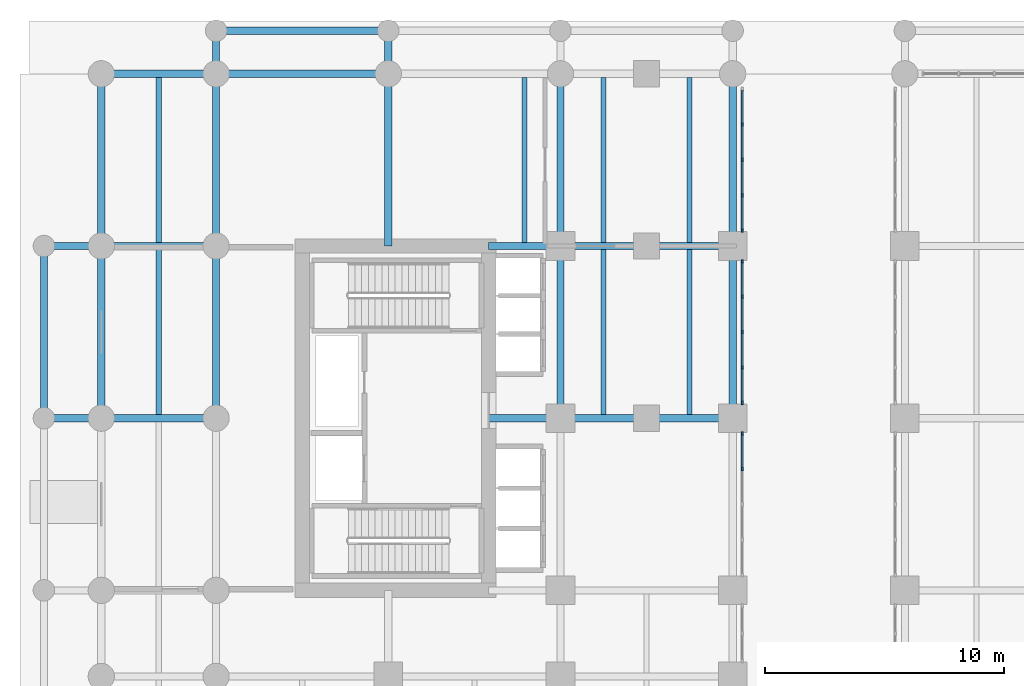
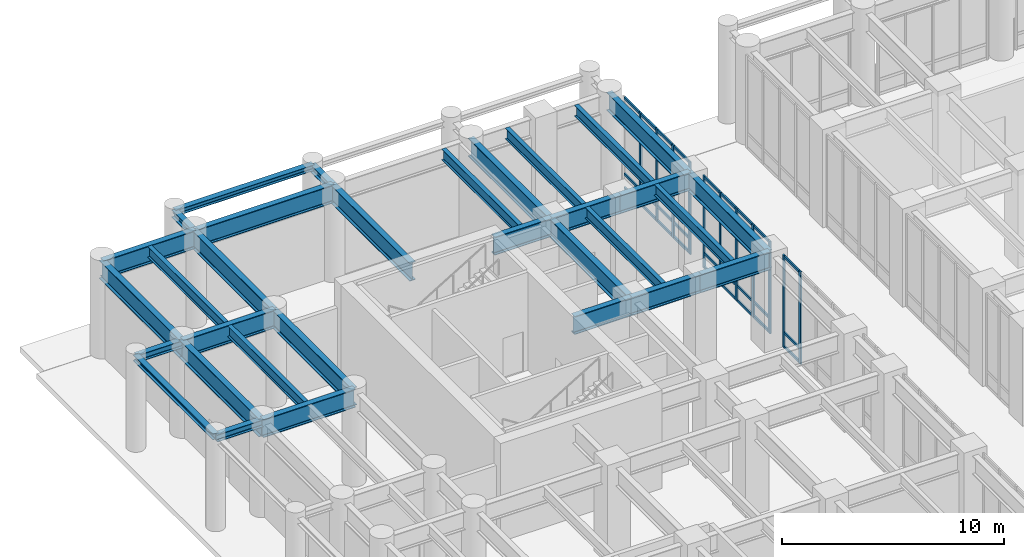
# One storey, part 6 of 23: 38 members, 32 beams, 3 elements without a shape of their own.
"""IFC4 building model written with IfcOpenShell, lengths in metres."""

from ifc_helpers import new_model, si_unit, derived_unit, direction, frame, origin, origin_2d, place, context, subcontext, project, spatial, rectangle, i_section, extrude, source, transform, mapped, material, layer, layer_set, material_profile, profile_set, type_object, type_shapes, element, aggregate, save


model = new_model("IFC4")

# Units and contexts
model_context = context("Model", 3, precision=1e-05, world=origin(), true_north=direction((0.0, 1.0)))
body_context = subcontext(model_context, "Body", "Model", "MODEL_VIEW")
ifc_project = project(units=[si_unit("LENGTHUNIT", "METRE"), si_unit("AREAUNIT", "SQUARE_METRE"), si_unit("VOLUMEUNIT", "CUBIC_METRE"), si_unit("PLANEANGLEUNIT", "RADIAN"), si_unit("MASSUNIT", "GRAM", prefix="KILO"), si_unit("THERMODYNAMICTEMPERATUREUNIT", "KELVIN"), si_unit("POWERUNIT", "WATT"), derived_unit("THERMALTRANSMITTANCEUNIT", [(si_unit("POWERUNIT", "WATT"), 1), (si_unit("AREAUNIT", "SQUARE_METRE"), -1), (si_unit("THERMODYNAMICTEMPERATUREUNIT", "KELVIN"), -1)])], contexts=[model_context])

# Site, building, storey
site_placement = place(None, origin())
site = spatial("IfcSite", under=ifc_project, at=site_placement, CompositionType="ELEMENT")
building_placement = place(site_placement, origin())
building = spatial("IfcBuilding", under=site, at=building_placement, Name="Zahravan Archway Hotel and Residences", CompositionType="ELEMENT")
storey_placement = place(building_placement, origin())
storey = spatial("IfcBuildingStorey", under=building, at=storey_placement, Name="L00", CompositionType="ELEMENT", Elevation=0.0)

# Beams
ifc_material_1 = material(Name="Structural Steel S355J2", Category="steel")
ifc_material_profile_1 = material_profile(ifc_material_1, i_section(OverallWidth=0.300048828125, OverallDepth=1.0, WebThickness=0.01904296875, FlangeThickness=0.035888671875, FilletRadius=0.030029296875, at=origin_2d()), Name="HEB 1000", Category="steel")
ifc_profile_set_1 = profile_set([ifc_material_profile_1], Name="Structural Steel S355J2")
beam_type_1 = type_object("IfcBeamType", Name="BM-PRI-HEB1000", PredefinedType="BEAM", material=ifc_profile_set_1)
shared_shape_1 = source(origin(), body_context, "Body", "SweptSolid", [
    extrude(i_section(OverallWidth=0.300048828125, OverallDepth=1.0, WebThickness=0.01904296875, FlangeThickness=0.035888671875, FilletRadius=0.030029296875, at=origin_2d()), origin(), (0.0, 0.0, 1.0), 4.800048828125),
])
type_shapes(beam_type_1, [shared_shape_1])
for number, where, z_axis, x_axis, name in (
    (1, (-4.800048828125, 32.39990234375, 4.60009765625), (1.0, 0.0, 0.0), (0.0, 1.0, 0.0), "L00 Primary Girder EW-41"),
    (2, (-4.800048828125, 39.60009765625, 4.60009765625), (1.0, 0.0, 0.0), (0.0, 1.0, 0.0), "L00 Primary Girder EW-46"),
    (3, (-4.800048828125, 46.800048828125, 4.60009765625), (1.0, 0.0, 0.0), (0.0, 1.0, 0.0), "L00 Primary Girder EW-51"),
):
    element("IfcBeam", number, at=place(storey_placement, frame(where, z_axis=z_axis, x_axis=x_axis)), inside=storey, type_object=beam_type_1, Name=name, PredefinedType="BEAM", context=body_context, shape_type="MappedRepresentation", body=[
        mapped(shared_shape_1, transform((0.0, 0.0, 0.0), scale=1.0)),
    ])
shared_shape_2 = source(origin(), body_context, "Body", "SweptSolid", [
    extrude(i_section(OverallWidth=0.300048828125, OverallDepth=1.0, WebThickness=0.01904296875, FlangeThickness=0.035888671875, FilletRadius=0.030029296875, at=origin_2d()), origin(), (0.0, 0.0, 1.0), 7.199951171875),
])
for number, where, z_axis, x_axis, name in (
    (4, (0.0, 46.800048828125, 4.60009765625), (1.0, 0.0, 0.0), (0.0, 1.0, 0.0), "L00 Primary Girder EW-52"),
    (5, (-4.800048828125, 39.60009765625, 4.60009765625), (0.0, 1.0, 0.0), (-1.0, 0.0, 0.0), "L00 Primary Girder NS-68"),
    (6, (0.0, 39.60009765625, 4.60009765625), (0.0, 1.0, 0.0), (-1.0, 0.0, 0.0), "L00 Primary Girder NS-75"),
    (7, (7.199951171875, 39.60009765625, 4.60009765625), (0.0, 1.0, 0.0), (-1.0, 0.0, 0.0), "L00 Primary Girder NS-80"),
    (8, (14.39990234375, 39.60009765625, 4.60009765625), (0.0, 1.0, 0.0), (-1.0, 0.0, 0.0), "L00 Primary Girder NS-87"),
    (9, (21.60009765625, 39.60009765625, 4.60009765625), (0.0, 1.0, 0.0), (-1.0, 0.0, 0.0), "L00 Primary Girder NS-94"),
):
    element("IfcBeam", number, at=place(storey_placement, frame(where, z_axis=z_axis, x_axis=x_axis)), inside=storey, type_object=beam_type_1, Name=name, PredefinedType="BEAM", context=body_context, shape_type="MappedRepresentation", body=[
        mapped(shared_shape_2, transform((0.0, 0.0, 0.0), scale=1.0)),
    ])
shared_shape_3 = source(origin(), body_context, "Body", "SweptSolid", [
    extrude(i_section(OverallWidth=0.300048828125, OverallDepth=1.0, WebThickness=0.01904296875, FlangeThickness=0.035888671875, FilletRadius=0.030029296875, at=origin_2d()), origin(), (0.0, 0.0, 1.0), 7.2001953125),
])
for number, where, z_axis, x_axis, name in (
    (10, (-4.800048828125, 32.39990234375, 4.60009765625), (0.0, 1.0, 0.0), (-1.0, 0.0, 0.0), "L00 Primary Girder NS-67"),
    (11, (0.0, 32.39990234375, 4.60009765625), (0.0, 1.0, 0.0), (-1.0, 0.0, 0.0), "L00 Primary Girder NS-74"),
    (12, (14.39990234375, 32.39990234375, 4.60009765625), (0.0, 1.0, 0.0), (-1.0, 0.0, 0.0), "L00 Primary Girder NS-86"),
    (13, (21.60009765625, 32.39990234375, 4.60009765625), (0.0, 1.0, 0.0), (-1.0, 0.0, 0.0), "L00 Primary Girder NS-93"),
):
    element("IfcBeam", number, at=place(storey_placement, frame(where, z_axis=z_axis, x_axis=x_axis)), inside=storey, type_object=beam_type_1, Name=name, PredefinedType="BEAM", context=body_context, shape_type="MappedRepresentation", body=[
        mapped(shared_shape_3, transform((0.0, 0.0, 0.0), scale=1.0)),
    ])
shared_shape_4 = source(origin(), body_context, "Body", "SweptSolid", [
    extrude(i_section(OverallWidth=0.300048828125, OverallDepth=1.0, WebThickness=0.01904296875, FlangeThickness=0.035888671875, FilletRadius=0.030029296875, at=origin_2d()), origin(), (0.0, 0.0, 1.0), 3.0),
])
for number, where, z_axis, x_axis, name in (
    (14, (11.39990234375, 32.39990234375, 4.60009765625), (1.0, 0.0, 0.0), (0.0, 1.0, 0.0), "L00 Primary Girder EW-42"),
    (15, (11.39990234375, 39.60009765625, 4.60009765625), (1.0, 0.0, 0.0), (0.0, 1.0, 0.0), "L00 Primary Girder EW-47"),
):
    element("IfcBeam", number, at=place(storey_placement, frame(where, z_axis=z_axis, x_axis=x_axis)), inside=storey, type_object=beam_type_1, Name=name, PredefinedType="BEAM", context=body_context, shape_type="MappedRepresentation", body=[
        mapped(shared_shape_4, transform((0.0, 0.0, 0.0), scale=1.0)),
    ])
shared_shape_5 = source(origin(), body_context, "Body", "SweptSolid", [
    extrude(i_section(OverallWidth=0.300048828125, OverallDepth=1.0, WebThickness=0.01904296875, FlangeThickness=0.035888671875, FilletRadius=0.030029296875, at=origin_2d()), origin(), (0.0, 0.0, 1.0), 3.60009765625),
])
for number, where, z_axis, x_axis, name in (
    (16, (14.39990234375, 32.39990234375, 4.60009765625), (1.0, 0.0, 0.0), (0.0, 1.0, 0.0), "L00 Primary Girder EW-43"),
    (17, (18.0, 32.39990234375, 4.60009765625), (1.0, 0.0, 0.0), (0.0, 1.0, 0.0), "L00 Primary Girder EW-44"),
    (18, (14.39990234375, 39.60009765625, 4.60009765625), (1.0, 0.0, 0.0), (0.0, 1.0, 0.0), "L00 Primary Girder EW-48"),
    (19, (18.0, 39.60009765625, 4.60009765625), (1.0, 0.0, 0.0), (0.0, 1.0, 0.0), "L00 Primary Girder EW-49"),
):
    element("IfcBeam", number, at=place(storey_placement, frame(where, z_axis=z_axis, x_axis=x_axis)), inside=storey, type_object=beam_type_1, Name=name, PredefinedType="BEAM", context=body_context, shape_type="MappedRepresentation", body=[
        mapped(shared_shape_5, transform((0.0, 0.0, 0.0), scale=1.0)),
    ])
ifc_material_2 = material(Name="Structural Steel S355JR", Category="steel")
ifc_material_profile_2 = material_profile(ifc_material_2, i_section(OverallWidth=0.219970703125, OverallDepth=0.60009765625, WebThickness=0.011962890625, FlangeThickness=0.01904296875, FilletRadius=0.02392578125, at=origin_2d()), Name="IPE 600", Category="steel")
ifc_profile_set_2 = profile_set([ifc_material_profile_2], Name="Structural Steel S355JR")
beam_type_2 = type_object("IfcBeamType", Name="BM-JST-IPE600", PredefinedType="JOIST", material=ifc_profile_set_2)
shared_shape_6 = source(origin(), body_context, "Body", "SweptSolid", [
    extrude(i_section(OverallWidth=0.219970703125, OverallDepth=0.60009765625, WebThickness=0.011962890625, FlangeThickness=0.01904296875, FilletRadius=0.02392578125, at=origin_2d()), origin(), (0.0, 0.0, 1.0), 6.904052734375),
])
type_shapes(beam_type_2, [shared_shape_6])
for number, where, z_axis, x_axis, name in (
    (20, (-2.39990234375, 39.748046875, 4.800048828125), (0.0, 1.0, 0.0), (-1.0, 0.0, 0.0), "L00 Composite Floor Joist 34"),
    (21, (12.89990234375, 39.748046875, 4.800048828125), (0.0, 1.0, 0.0), (-1.0, 0.0, 0.0), "L00 Composite Floor Joist 35"),
    (22, (16.199951171875, 39.748046875, 4.800048828125), (0.0, 1.0, 0.0), (-1.0, 0.0, 0.0), "L00 Composite Floor Joist 36"),
    (23, (19.800048828125, 39.748046875, 4.800048828125), (0.0, 1.0, 0.0), (-1.0, 0.0, 0.0), "L00 Composite Floor Joist 37"),
):
    element("IfcBeam", number, at=place(storey_placement, frame(where, z_axis=z_axis, x_axis=x_axis)), inside=storey, type_object=beam_type_2, Name=name, PredefinedType="JOIST", context=body_context, shape_type="MappedRepresentation", body=[
        mapped(shared_shape_6, transform((0.0, 0.0, 0.0), scale=1.0)),
    ])
shared_shape_7 = source(origin(), body_context, "Body", "SweptSolid", [
    extrude(i_section(OverallWidth=0.219970703125, OverallDepth=0.60009765625, WebThickness=0.011962890625, FlangeThickness=0.01904296875, FilletRadius=0.02392578125, at=origin_2d()), origin(), (0.0, 0.0, 1.0), 6.90380859375),
])
for number, where, z_axis, x_axis, name in (
    (24, (-2.39990234375, 32.548095703125, 4.800048828125), (0.0, 1.0, 0.0), (-1.0, 0.0, 0.0), "L00 Composite Floor Joist 30"),
    (25, (16.199951171875, 32.548095703125, 4.800048828125), (0.0, 1.0, 0.0), (-1.0, 0.0, 0.0), "L00 Composite Floor Joist 31"),
    (26, (19.800048828125, 32.548095703125, 4.800048828125), (0.0, 1.0, 0.0), (-1.0, 0.0, 0.0), "L00 Composite Floor Joist 32"),
):
    element("IfcBeam", number, at=place(storey_placement, frame(where, z_axis=z_axis, x_axis=x_axis)), inside=storey, type_object=beam_type_2, Name=name, PredefinedType="JOIST", context=body_context, shape_type="MappedRepresentation", body=[
        mapped(shared_shape_7, transform((0.0, 0.0, 0.0), scale=1.0)),
    ])
ifc_material_profile_3 = material_profile(ifc_material_2, i_section(OverallWidth=0.300048828125, OverallDepth=0.39990234375, WebThickness=0.013427734375, FlangeThickness=0.02392578125, FilletRadius=0.027099609375, at=origin_2d()), Name="HEB 400", Category="steel")
ifc_profile_set_3 = profile_set([ifc_material_profile_3], Name="Structural Steel S355JR")
beam_type_3 = type_object("IfcBeamType", Name="BM-PRI-HEB400", PredefinedType="BEAM", material=ifc_profile_set_3)
shared_shape_8 = source(origin(), body_context, "Body", "SweptSolid", [
    extrude(i_section(OverallWidth=0.300048828125, OverallDepth=0.39990234375, WebThickness=0.013427734375, FlangeThickness=0.02392578125, FilletRadius=0.027099609375, at=origin_2d()), origin(), (0.0, 0.0, 1.0), 2.39990234375),
])
for number, where, z_axis, x_axis, name in (
    (27, (-7.199951171875, 32.39990234375, 4.89990234375), (1.0, 0.0, 0.0), (0.0, 1.0, 0.0), "L00 West Colonnade Tie Girder 5"),
    (28, (-7.199951171875, 39.60009765625, 4.89990234375), (1.0, 0.0, 0.0), (0.0, 1.0, 0.0), "L00 West Colonnade Tie Girder 6"),
):
    element("IfcBeam", number, at=place(storey_placement, frame(where, z_axis=z_axis, x_axis=x_axis)), inside=storey, type_object=beam_type_3, Name=name, PredefinedType="BEAM", context=body_context, shape_type="MappedRepresentation", body=[
        mapped(shared_shape_8, transform((0.0, 0.0, 0.0), scale=1.0)),
    ])
ifc_material_profile_4 = material_profile(ifc_material_2, i_section(OverallWidth=0.300048828125, OverallDepth=0.320068359375, WebThickness=0.011474609375, FlangeThickness=0.0205078125, FilletRadius=0.027099609375, at=origin_2d()), Name="HEB 320", Category="steel")
ifc_profile_set_4 = profile_set([ifc_material_profile_4], Name="Structural Steel S355JR")
beam_type_4 = type_object("IfcBeamType", Name="BM-SPN-HEB320", PredefinedType="SPANDREL", material=ifc_profile_set_4)
shared_shape_9 = source(origin(), body_context, "Body", "SweptSolid", [
    extrude(i_section(OverallWidth=0.300048828125, OverallDepth=0.320068359375, WebThickness=0.011474609375, FlangeThickness=0.0205078125, FilletRadius=0.027099609375, at=origin_2d()), origin(), (0.0, 0.0, 1.0), 7.199951171875),
])
type_shapes(beam_type_4, [shared_shape_9])
beam_1_placement = place(storey_placement, frame((0.0, 48.60009765625, 4.93994140625), z_axis=(1.0, 0.0, 0.0), x_axis=(0.0, 1.0, 0.0)))
element("IfcBeam", 29, at=beam_1_placement, inside=storey, type_object=beam_type_4, Name="L00 North Colonnade Spandrel 1", PredefinedType="SPANDREL", context=body_context, shape_type="MappedRepresentation", body=[
    mapped(shared_shape_9, transform((0.0, 0.0, 0.0), scale=1.0)),
])
shared_shape_10 = source(origin(), body_context, "Body", "SweptSolid", [
    extrude(i_section(OverallWidth=0.300048828125, OverallDepth=0.320068359375, WebThickness=0.011474609375, FlangeThickness=0.0205078125, FilletRadius=0.027099609375, at=origin_2d()), origin(), (0.0, 0.0, 1.0), 7.2001953125),
])
beam_2_placement = place(storey_placement, frame((-7.199951171875, 32.39990234375, 4.93994140625), z_axis=(0.0, 1.0, 0.0), x_axis=(-1.0, 0.0, 0.0)))
element("IfcBeam", 30, at=beam_2_placement, inside=storey, type_object=beam_type_4, Name="L00 West Colonnade Spandrel 5", PredefinedType="SPANDREL", context=body_context, shape_type="MappedRepresentation", body=[
    mapped(shared_shape_10, transform((0.0, 0.0, 0.0), scale=1.0)),
])
shared_shape_11 = source(origin(), body_context, "Body", "SweptSolid", [
    extrude(i_section(OverallWidth=0.300048828125, OverallDepth=0.39990234375, WebThickness=0.013427734375, FlangeThickness=0.02392578125, FilletRadius=0.027099609375, at=origin_2d()), origin(), (0.0, 0.0, 1.0), 1.800048828125),
])
for number, where, z_axis, x_axis, name in (
    (31, (0.0, 46.800048828125, 4.89990234375), (0.0, 1.0, 0.0), (-1.0, 0.0, 0.0), "L00 North Colonnade Tie Girder 1"),
    (32, (7.199951171875, 46.800048828125, 4.89990234375), (0.0, 1.0, 0.0), (-1.0, 0.0, 0.0), "L00 North Colonnade Tie Girder 2"),
):
    element("IfcBeam", number, at=place(storey_placement, frame(where, z_axis=z_axis, x_axis=x_axis)), inside=storey, type_object=beam_type_3, Name=name, PredefinedType="BEAM", context=body_context, shape_type="MappedRepresentation", body=[
        mapped(shared_shape_11, transform((0.0, 0.0, 0.0), scale=1.0)),
    ])

# Curtain wall, members
ifc_material_3 = material(Name="Bronze-Anodized Unitised Aluminium & Low-E Glass", Category="aluminium")
ifc_layer = layer(ifc_material_3, 0.179931640625, Name="Bronze-Anodized Unitised Aluminium & Low-E Glass", Category="aluminium")
ifc_layer_set = layer_set([ifc_layer], Name="Bronze-Anodized Unitised Aluminium & Low-E Glass")
curtain_wall_type = type_object("IfcCurtainWallType", Name="CW-POD-ARCH", PredefinedType="NOTDEFINED", material=ifc_layer_set)
curtain_wall_1_placement = place(storey_placement, origin())
curtain_wall_1 = element("IfcCurtainWall", 33, at=curtain_wall_1_placement, inside=storey, type_object=curtain_wall_type, Name="L00 Curtain Wall CW-PORTW-L00-5", PredefinedType="NOTDEFINED")
ifc_material_4 = material(Name="Bronze-Anodized Extruded Aluminium", Category="aluminium")
ifc_material_profile_5 = material_profile(ifc_material_4, rectangle(XDim=0.080078125, YDim=0.159912109375, at=origin_2d()), Name="MUL 80x160", Category="aluminium")
ifc_profile_set_5 = profile_set([ifc_material_profile_5], Name="Bronze-Anodized Extruded Aluminium")
member_type_1 = type_object("IfcMemberType", Name="CWM-MUL-160", PredefinedType="MULLION", material=ifc_profile_set_5)
shared_shape_12 = source(origin(), body_context, "Body", "SweptSolid", [
    extrude(rectangle(XDim=0.080078125, YDim=0.159912109375, at=origin_2d()), origin(), (0.0, 0.0, 1.0), 5.10009765625),
])
member_1_placement = place(storey_placement, frame((22.0, 30.27734375, 0.0), z_axis=(0.0, 0.0, 1.0), x_axis=(1.0, 0.0, 0.0)))
member_1 = element("IfcMember", 34, at=member_1_placement, type_object=member_type_1, Name="CW-PORTW-L00-5 Mullion 3", PredefinedType="MULLION", context=body_context, shape_type="MappedRepresentation", body=[
    mapped(shared_shape_12, transform((0.0, 0.0, 0.0), scale=1.0)),
])
member_2_placement = place(storey_placement, frame((22.0, 31.7548828125, 0.0), z_axis=(0.0, 0.0, 1.0), x_axis=(1.0, 0.0, 0.0)))
member_2 = element("IfcMember", 35, at=member_2_placement, type_object=member_type_1, Name="CW-PORTW-L00-5 Mullion 4", PredefinedType="MULLION", context=body_context, shape_type="MappedRepresentation", body=[
    mapped(shared_shape_12, transform((0.0, 0.0, 0.0), scale=1.0)),
])

curtain_wall_2_placement = place(storey_placement, origin())
curtain_wall_2 = element("IfcCurtainWall", 36, at=curtain_wall_2_placement, inside=storey, type_object=curtain_wall_type, Name="L00 Curtain Wall CW-PORTW-L00-6", PredefinedType="NOTDEFINED")
member_3_placement = place(storey_placement, frame((22.0, 33.045166015625, 0.0), z_axis=(0.0, 0.0, 1.0), x_axis=(1.0, 0.0, 0.0)))
member_3 = element("IfcMember", 37, at=member_3_placement, type_object=member_type_1, Name="CW-PORTW-L00-6 Mullion 0", PredefinedType="MULLION", context=body_context, shape_type="MappedRepresentation", body=[
    mapped(shared_shape_12, transform((0.0, 0.0, 0.0), scale=1.0)),
])
member_4_placement = place(storey_placement, frame((22.0, 34.522705078125, 0.0), z_axis=(0.0, 0.0, 1.0), x_axis=(1.0, 0.0, 0.0)))
member_4 = element("IfcMember", 38, at=member_4_placement, type_object=member_type_1, Name="CW-PORTW-L00-6 Mullion 1", PredefinedType="MULLION", context=body_context, shape_type="MappedRepresentation", body=[
    mapped(shared_shape_12, transform((0.0, 0.0, 0.0), scale=1.0)),
])
member_5_placement = place(storey_placement, frame((22.0, 36.0, 0.0), z_axis=(0.0, 0.0, 1.0), x_axis=(1.0, 0.0, 0.0)))
member_5 = element("IfcMember", 39, at=member_5_placement, type_object=member_type_1, Name="CW-PORTW-L00-6 Mullion 2", PredefinedType="MULLION", context=body_context, shape_type="MappedRepresentation", body=[
    mapped(shared_shape_12, transform((0.0, 0.0, 0.0), scale=1.0)),
])
member_6_placement = place(storey_placement, frame((22.0, 37.477294921875, 0.0), z_axis=(0.0, 0.0, 1.0), x_axis=(1.0, 0.0, 0.0)))
member_6 = element("IfcMember", 40, at=member_6_placement, type_object=member_type_1, Name="CW-PORTW-L00-6 Mullion 3", PredefinedType="MULLION", context=body_context, shape_type="MappedRepresentation", body=[
    mapped(shared_shape_12, transform((0.0, 0.0, 0.0), scale=1.0)),
])
member_7_placement = place(storey_placement, frame((22.0, 38.954833984375, 0.0), z_axis=(0.0, 0.0, 1.0), x_axis=(1.0, 0.0, 0.0)))
member_7 = element("IfcMember", 41, at=member_7_placement, type_object=member_type_1, Name="CW-PORTW-L00-6 Mullion 4", PredefinedType="MULLION", context=body_context, shape_type="MappedRepresentation", body=[
    mapped(shared_shape_12, transform((0.0, 0.0, 0.0), scale=1.0)),
])

curtain_wall_3_placement = place(storey_placement, origin())
curtain_wall_3 = element("IfcCurtainWall", 42, at=curtain_wall_3_placement, inside=storey, type_object=curtain_wall_type, Name="L00 Curtain Wall CW-PORTW-L00-7", PredefinedType="NOTDEFINED")
member_8_placement = place(storey_placement, frame((22.0, 40.2451171875, 0.0), z_axis=(0.0, 0.0, 1.0), x_axis=(1.0, 0.0, 0.0)))
member_8 = element("IfcMember", 43, at=member_8_placement, type_object=member_type_1, Name="CW-PORTW-L00-7 Mullion 0", PredefinedType="MULLION", context=body_context, shape_type="MappedRepresentation", body=[
    mapped(shared_shape_12, transform((0.0, 0.0, 0.0), scale=1.0)),
])
member_9_placement = place(storey_placement, frame((22.0, 41.72265625, 0.0), z_axis=(0.0, 0.0, 1.0), x_axis=(1.0, 0.0, 0.0)))
member_9 = element("IfcMember", 44, at=member_9_placement, type_object=member_type_1, Name="CW-PORTW-L00-7 Mullion 1", PredefinedType="MULLION", context=body_context, shape_type="MappedRepresentation", body=[
    mapped(shared_shape_12, transform((0.0, 0.0, 0.0), scale=1.0)),
])
member_10_placement = place(storey_placement, frame((22.0, 43.199951171875, 0.0), z_axis=(0.0, 0.0, 1.0), x_axis=(1.0, 0.0, 0.0)))
member_10 = element("IfcMember", 45, at=member_10_placement, type_object=member_type_1, Name="CW-PORTW-L00-7 Mullion 2", PredefinedType="MULLION", context=body_context, shape_type="MappedRepresentation", body=[
    mapped(shared_shape_12, transform((0.0, 0.0, 0.0), scale=1.0)),
])
member_11_placement = place(storey_placement, frame((22.0, 44.677490234375, 0.0), z_axis=(0.0, 0.0, 1.0), x_axis=(1.0, 0.0, 0.0)))
member_11 = element("IfcMember", 46, at=member_11_placement, type_object=member_type_1, Name="CW-PORTW-L00-7 Mullion 3", PredefinedType="MULLION", context=body_context, shape_type="MappedRepresentation", body=[
    mapped(shared_shape_12, transform((0.0, 0.0, 0.0), scale=1.0)),
])
ifc_material_profile_6 = material_profile(ifc_material_4, rectangle(XDim=0.080078125, YDim=0.139892578125, at=origin_2d()), Name="TRN 80x140", Category="aluminium")
ifc_profile_set_6 = profile_set([ifc_material_profile_6], Name="Bronze-Anodized Extruded Aluminium")
member_type_2 = type_object("IfcMemberType", Name="CWM-TRN-140", PredefinedType="USERDEFINED", material=ifc_profile_set_6)
shared_shape_13 = source(origin(), body_context, "Body", "SweptSolid", [
    extrude(rectangle(XDim=0.080078125, YDim=0.139892578125, at=origin_2d()), origin(), (0.0, 0.0, 1.0), 1.397216796875),
])
member_12_placement = place(storey_placement, frame((22.0, 41.7626953125, 0.070068359375), z_axis=(0.0, 1.0, 0.0), x_axis=(-1.0, 0.0, 0.0)))
member_12 = element("IfcMember", 47, at=member_12_placement, type_object=member_type_2, Name="CW-PORTW-L00-7 Transom 1-1", ObjectType="TRANSOM", PredefinedType="USERDEFINED", context=body_context, shape_type="MappedRepresentation", body=[
    mapped(shared_shape_13, transform((0.0, 0.0, 0.0), scale=1.0)),
])
member_13_placement = place(storey_placement, frame((22.0, 41.7626953125, 0.85009765625), z_axis=(0.0, 1.0, 0.0), x_axis=(-1.0, 0.0, 0.0)))
member_13 = element("IfcMember", 48, at=member_13_placement, type_object=member_type_2, Name="CW-PORTW-L00-7 Transom 1-2", ObjectType="TRANSOM", PredefinedType="USERDEFINED", context=body_context, shape_type="MappedRepresentation", body=[
    mapped(shared_shape_13, transform((0.0, 0.0, 0.0), scale=1.0)),
])
member_14_placement = place(storey_placement, frame((22.0, 41.7626953125, 5.030029296875), z_axis=(0.0, 1.0, 0.0), x_axis=(-1.0, 0.0, 0.0)))
member_14 = element("IfcMember", 49, at=member_14_placement, type_object=member_type_2, Name="CW-PORTW-L00-7 Transom 1-3", ObjectType="TRANSOM", PredefinedType="USERDEFINED", context=body_context, shape_type="MappedRepresentation", body=[
    mapped(shared_shape_13, transform((0.0, 0.0, 0.0), scale=1.0)),
])

# Member
shared_shape_14 = source(origin(), body_context, "Body", "SweptSolid", [
    extrude(rectangle(XDim=0.080078125, YDim=0.139892578125, at=origin_2d()), origin(), (0.0, 0.0, 1.0), 1.3974609375),
])
member_15_placement = place(storey_placement, frame((22.0, 30.3173828125, 0.070068359375), z_axis=(0.0, 1.0, 0.0), x_axis=(-1.0, 0.0, 0.0)))
member_15 = element("IfcMember", 50, at=member_15_placement, type_object=member_type_2, Name="CW-PORTW-L00-5 Transom 3-1", ObjectType="TRANSOM", PredefinedType="USERDEFINED", context=body_context, shape_type="MappedRepresentation", body=[
    mapped(shared_shape_14, transform((0.0, 0.0, 0.0), scale=1.0)),
])

member_16_placement = place(storey_placement, frame((22.0, 30.3173828125, 0.85009765625), z_axis=(0.0, 1.0, 0.0), x_axis=(-1.0, 0.0, 0.0)))
member_16 = element("IfcMember", 51, at=member_16_placement, type_object=member_type_2, Name="CW-PORTW-L00-5 Transom 3-2", ObjectType="TRANSOM", PredefinedType="USERDEFINED", context=body_context, shape_type="MappedRepresentation", body=[
    mapped(shared_shape_14, transform((0.0, 0.0, 0.0), scale=1.0)),
])

member_17_placement = place(storey_placement, frame((22.0, 30.3173828125, 5.030029296875), z_axis=(0.0, 1.0, 0.0), x_axis=(-1.0, 0.0, 0.0)))
member_17 = element("IfcMember", 52, at=member_17_placement, type_object=member_type_2, Name="CW-PORTW-L00-5 Transom 3-3", ObjectType="TRANSOM", PredefinedType="USERDEFINED", context=body_context, shape_type="MappedRepresentation", body=[
    mapped(shared_shape_14, transform((0.0, 0.0, 0.0), scale=1.0)),
])

aggregate(curtain_wall_1, [member_1, member_2, member_15, member_16, member_17])

member_18_placement = place(storey_placement, frame((22.0, 33.085205078125, 0.070068359375), z_axis=(0.0, 1.0, 0.0), x_axis=(-1.0, 0.0, 0.0)))
member_18 = element("IfcMember", 53, at=member_18_placement, type_object=member_type_2, Name="CW-PORTW-L00-6 Transom 0-1", ObjectType="TRANSOM", PredefinedType="USERDEFINED", context=body_context, shape_type="MappedRepresentation", body=[
    mapped(shared_shape_14, transform((0.0, 0.0, 0.0), scale=1.0)),
])

member_19_placement = place(storey_placement, frame((22.0, 33.085205078125, 0.85009765625), z_axis=(0.0, 1.0, 0.0), x_axis=(-1.0, 0.0, 0.0)))
member_19 = element("IfcMember", 54, at=member_19_placement, type_object=member_type_2, Name="CW-PORTW-L00-6 Transom 0-2", ObjectType="TRANSOM", PredefinedType="USERDEFINED", context=body_context, shape_type="MappedRepresentation", body=[
    mapped(shared_shape_14, transform((0.0, 0.0, 0.0), scale=1.0)),
])

member_20_placement = place(storey_placement, frame((22.0, 33.085205078125, 5.030029296875), z_axis=(0.0, 1.0, 0.0), x_axis=(-1.0, 0.0, 0.0)))
member_20 = element("IfcMember", 55, at=member_20_placement, type_object=member_type_2, Name="CW-PORTW-L00-6 Transom 0-3", ObjectType="TRANSOM", PredefinedType="USERDEFINED", context=body_context, shape_type="MappedRepresentation", body=[
    mapped(shared_shape_14, transform((0.0, 0.0, 0.0), scale=1.0)),
])

member_21_placement = place(storey_placement, frame((22.0, 34.5625, 0.070068359375), z_axis=(0.0, 1.0, 0.0), x_axis=(-1.0, 0.0, 0.0)))
member_21 = element("IfcMember", 56, at=member_21_placement, type_object=member_type_2, Name="CW-PORTW-L00-6 Transom 1-1", ObjectType="TRANSOM", PredefinedType="USERDEFINED", context=body_context, shape_type="MappedRepresentation", body=[
    mapped(shared_shape_14, transform((0.0, 0.0, 0.0), scale=1.0)),
])

member_22_placement = place(storey_placement, frame((22.0, 34.5625, 0.85009765625), z_axis=(0.0, 1.0, 0.0), x_axis=(-1.0, 0.0, 0.0)))
member_22 = element("IfcMember", 57, at=member_22_placement, type_object=member_type_2, Name="CW-PORTW-L00-6 Transom 1-2", ObjectType="TRANSOM", PredefinedType="USERDEFINED", context=body_context, shape_type="MappedRepresentation", body=[
    mapped(shared_shape_14, transform((0.0, 0.0, 0.0), scale=1.0)),
])

member_23_placement = place(storey_placement, frame((22.0, 34.5625, 5.030029296875), z_axis=(0.0, 1.0, 0.0), x_axis=(-1.0, 0.0, 0.0)))
member_23 = element("IfcMember", 58, at=member_23_placement, type_object=member_type_2, Name="CW-PORTW-L00-6 Transom 1-3", ObjectType="TRANSOM", PredefinedType="USERDEFINED", context=body_context, shape_type="MappedRepresentation", body=[
    mapped(shared_shape_14, transform((0.0, 0.0, 0.0), scale=1.0)),
])

member_24_placement = place(storey_placement, frame((22.0, 36.0400390625, 0.070068359375), z_axis=(0.0, 1.0, 0.0), x_axis=(-1.0, 0.0, 0.0)))
member_24 = element("IfcMember", 59, at=member_24_placement, type_object=member_type_2, Name="CW-PORTW-L00-6 Transom 2-1", ObjectType="TRANSOM", PredefinedType="USERDEFINED", context=body_context, shape_type="MappedRepresentation", body=[
    mapped(shared_shape_14, transform((0.0, 0.0, 0.0), scale=1.0)),
])

member_25_placement = place(storey_placement, frame((22.0, 36.0400390625, 0.85009765625), z_axis=(0.0, 1.0, 0.0), x_axis=(-1.0, 0.0, 0.0)))
member_25 = element("IfcMember", 60, at=member_25_placement, type_object=member_type_2, Name="CW-PORTW-L00-6 Transom 2-2", ObjectType="TRANSOM", PredefinedType="USERDEFINED", context=body_context, shape_type="MappedRepresentation", body=[
    mapped(shared_shape_14, transform((0.0, 0.0, 0.0), scale=1.0)),
])

member_26_placement = place(storey_placement, frame((22.0, 36.0400390625, 5.030029296875), z_axis=(0.0, 1.0, 0.0), x_axis=(-1.0, 0.0, 0.0)))
member_26 = element("IfcMember", 61, at=member_26_placement, type_object=member_type_2, Name="CW-PORTW-L00-6 Transom 2-3", ObjectType="TRANSOM", PredefinedType="USERDEFINED", context=body_context, shape_type="MappedRepresentation", body=[
    mapped(shared_shape_14, transform((0.0, 0.0, 0.0), scale=1.0)),
])

member_27_placement = place(storey_placement, frame((22.0, 37.517333984375, 0.070068359375), z_axis=(0.0, 1.0, 0.0), x_axis=(-1.0, 0.0, 0.0)))
member_27 = element("IfcMember", 62, at=member_27_placement, type_object=member_type_2, Name="CW-PORTW-L00-6 Transom 3-1", ObjectType="TRANSOM", PredefinedType="USERDEFINED", context=body_context, shape_type="MappedRepresentation", body=[
    mapped(shared_shape_14, transform((0.0, 0.0, 0.0), scale=1.0)),
])

member_28_placement = place(storey_placement, frame((22.0, 37.517333984375, 0.85009765625), z_axis=(0.0, 1.0, 0.0), x_axis=(-1.0, 0.0, 0.0)))
member_28 = element("IfcMember", 63, at=member_28_placement, type_object=member_type_2, Name="CW-PORTW-L00-6 Transom 3-2", ObjectType="TRANSOM", PredefinedType="USERDEFINED", context=body_context, shape_type="MappedRepresentation", body=[
    mapped(shared_shape_14, transform((0.0, 0.0, 0.0), scale=1.0)),
])

member_29_placement = place(storey_placement, frame((22.0, 37.517333984375, 5.030029296875), z_axis=(0.0, 1.0, 0.0), x_axis=(-1.0, 0.0, 0.0)))
member_29 = element("IfcMember", 64, at=member_29_placement, type_object=member_type_2, Name="CW-PORTW-L00-6 Transom 3-3", ObjectType="TRANSOM", PredefinedType="USERDEFINED", context=body_context, shape_type="MappedRepresentation", body=[
    mapped(shared_shape_14, transform((0.0, 0.0, 0.0), scale=1.0)),
])

aggregate(curtain_wall_2, [member_3, member_4, member_5, member_6, member_7, member_18, member_19, member_20, member_21, member_22, member_23, member_24, member_25, member_26, member_27, member_28, member_29])

member_30_placement = place(storey_placement, frame((22.0, 40.28515625, 0.070068359375), z_axis=(0.0, 1.0, 0.0), x_axis=(-1.0, 0.0, 0.0)))
member_30 = element("IfcMember", 65, at=member_30_placement, type_object=member_type_2, Name="CW-PORTW-L00-7 Transom 0-1", ObjectType="TRANSOM", PredefinedType="USERDEFINED", context=body_context, shape_type="MappedRepresentation", body=[
    mapped(shared_shape_14, transform((0.0, 0.0, 0.0), scale=1.0)),
])

member_31_placement = place(storey_placement, frame((22.0, 40.28515625, 0.85009765625), z_axis=(0.0, 1.0, 0.0), x_axis=(-1.0, 0.0, 0.0)))
member_31 = element("IfcMember", 66, at=member_31_placement, type_object=member_type_2, Name="CW-PORTW-L00-7 Transom 0-2", ObjectType="TRANSOM", PredefinedType="USERDEFINED", context=body_context, shape_type="MappedRepresentation", body=[
    mapped(shared_shape_14, transform((0.0, 0.0, 0.0), scale=1.0)),
])

member_32_placement = place(storey_placement, frame((22.0, 40.28515625, 5.030029296875), z_axis=(0.0, 1.0, 0.0), x_axis=(-1.0, 0.0, 0.0)))
member_32 = element("IfcMember", 67, at=member_32_placement, type_object=member_type_2, Name="CW-PORTW-L00-7 Transom 0-3", ObjectType="TRANSOM", PredefinedType="USERDEFINED", context=body_context, shape_type="MappedRepresentation", body=[
    mapped(shared_shape_14, transform((0.0, 0.0, 0.0), scale=1.0)),
])

member_33_placement = place(storey_placement, frame((22.0, 43.239990234375, 0.070068359375), z_axis=(0.0, 1.0, 0.0), x_axis=(-1.0, 0.0, 0.0)))
member_33 = element("IfcMember", 68, at=member_33_placement, type_object=member_type_2, Name="CW-PORTW-L00-7 Transom 2-1", ObjectType="TRANSOM", PredefinedType="USERDEFINED", context=body_context, shape_type="MappedRepresentation", body=[
    mapped(shared_shape_14, transform((0.0, 0.0, 0.0), scale=1.0)),
])

member_34_placement = place(storey_placement, frame((22.0, 43.239990234375, 0.85009765625), z_axis=(0.0, 1.0, 0.0), x_axis=(-1.0, 0.0, 0.0)))
member_34 = element("IfcMember", 69, at=member_34_placement, type_object=member_type_2, Name="CW-PORTW-L00-7 Transom 2-2", ObjectType="TRANSOM", PredefinedType="USERDEFINED", context=body_context, shape_type="MappedRepresentation", body=[
    mapped(shared_shape_14, transform((0.0, 0.0, 0.0), scale=1.0)),
])

member_35_placement = place(storey_placement, frame((22.0, 43.239990234375, 5.030029296875), z_axis=(0.0, 1.0, 0.0), x_axis=(-1.0, 0.0, 0.0)))
member_35 = element("IfcMember", 70, at=member_35_placement, type_object=member_type_2, Name="CW-PORTW-L00-7 Transom 2-3", ObjectType="TRANSOM", PredefinedType="USERDEFINED", context=body_context, shape_type="MappedRepresentation", body=[
    mapped(shared_shape_14, transform((0.0, 0.0, 0.0), scale=1.0)),
])

member_36_placement = place(storey_placement, frame((22.0, 44.71728515625, 0.070068359375), z_axis=(0.0, 1.0, 0.0), x_axis=(-1.0, 0.0, 0.0)))
member_36 = element("IfcMember", 71, at=member_36_placement, type_object=member_type_2, Name="CW-PORTW-L00-7 Transom 3-1", ObjectType="TRANSOM", PredefinedType="USERDEFINED", context=body_context, shape_type="MappedRepresentation", body=[
    mapped(shared_shape_14, transform((0.0, 0.0, 0.0), scale=1.0)),
])

member_37_placement = place(storey_placement, frame((22.0, 44.71728515625, 0.85009765625), z_axis=(0.0, 1.0, 0.0), x_axis=(-1.0, 0.0, 0.0)))
member_37 = element("IfcMember", 72, at=member_37_placement, type_object=member_type_2, Name="CW-PORTW-L00-7 Transom 3-2", ObjectType="TRANSOM", PredefinedType="USERDEFINED", context=body_context, shape_type="MappedRepresentation", body=[
    mapped(shared_shape_14, transform((0.0, 0.0, 0.0), scale=1.0)),
])

member_38_placement = place(storey_placement, frame((22.0, 44.71728515625, 5.030029296875), z_axis=(0.0, 1.0, 0.0), x_axis=(-1.0, 0.0, 0.0)))
member_38 = element("IfcMember", 73, at=member_38_placement, type_object=member_type_2, Name="CW-PORTW-L00-7 Transom 3-3", ObjectType="TRANSOM", PredefinedType="USERDEFINED", context=body_context, shape_type="MappedRepresentation", body=[
    mapped(shared_shape_14, transform((0.0, 0.0, 0.0), scale=1.0)),
])

aggregate(curtain_wall_3, [member_8, member_9, member_10, member_11, member_30, member_31, member_32, member_12, member_13, member_14, member_33, member_34, member_35, member_36, member_37, member_38])

save(model, "model.ifc")
